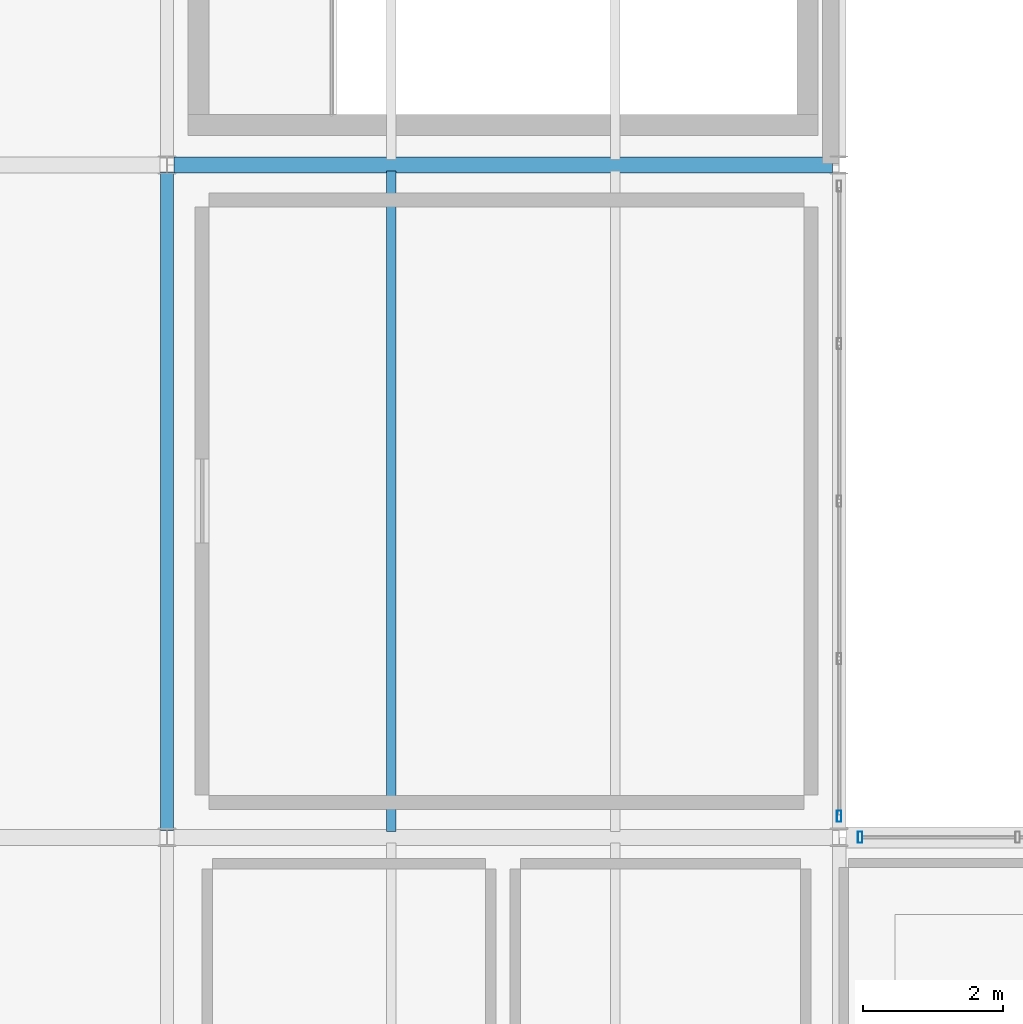
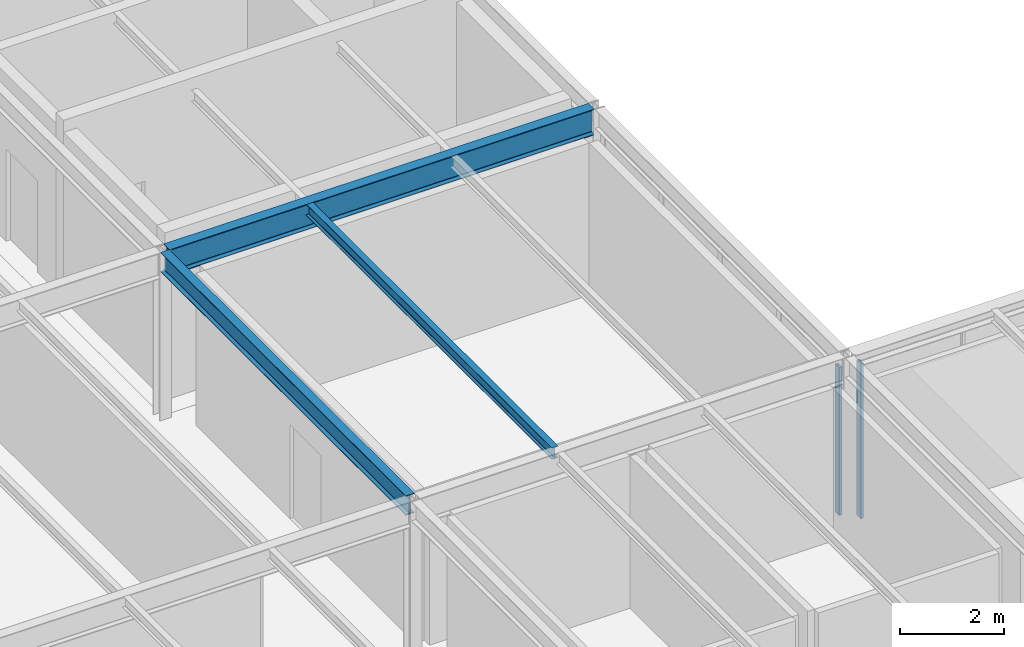
# One storey, part 15 of 33: 3 beams, 2 members, 2 elements without a shape of their own.
"""IFC4 building model written with IfcOpenShell, lengths in metres."""

from ifc_helpers import new_model, si_unit, direction, frame, origin, origin_2d, place, context, subcontext, project, spatial, hollow_rectangle, i_section, extrude, material, material_profile, profile_set, type_object, element, aggregate, save


model = new_model("IFC4")

# Units and contexts
model_context = context("Model", 3, precision=1e-05, world=origin(), true_north=direction((0.0, 1.0)))
body_context = subcontext(model_context, "Body", "Model", "MODEL_VIEW")
ifc_project = project(units=[si_unit("LENGTHUNIT", "METRE"), si_unit("AREAUNIT", "SQUARE_METRE"), si_unit("VOLUMEUNIT", "CUBIC_METRE"), si_unit("PLANEANGLEUNIT", "RADIAN"), si_unit("MASSUNIT", "GRAM", prefix="KILO")], contexts=[model_context])

# Site, building, storey
site_placement = place(None, origin())
site = spatial("IfcSite", under=ifc_project, at=site_placement, CompositionType="ELEMENT")
building_placement = place(site_placement, origin())
building = spatial("IfcBuilding", under=site, at=building_placement, Name="Coralgate Yard Interchange", CompositionType="ELEMENT")
storey_placement = place(building_placement, frame((0.0, 0.0, 23.10009765625)))
storey = spatial("IfcBuildingStorey", under=building, at=storey_placement, Name="L05", CompositionType="ELEMENT", Elevation=23.10009765625)

# Beams
ifc_material_1 = material(Name="Structural steel S355J2", Category="steel")
ifc_material_profile_1 = material_profile(ifc_material_1, i_section(OverallWidth=0.1904296875, OverallDepth=0.45703125, WebThickness=0.009033203125, FlangeThickness=0.014404296875, FilletRadius=0.01025390625, at=origin_2d()), Name="UB 457x191x74")
ifc_profile_set_1 = profile_set([ifc_material_profile_1], Name="Structural steel S355J2")
beam_type_1 = type_object("IfcBeamType", Name="BM-SB-2", PredefinedType="BEAM", material=ifc_profile_set_1)
beam_1_placement = place(storey_placement, frame((9.60009765625, 19.300048828125, 3.69140625), z_axis=(0.0, 1.0, 0.0), x_axis=(-1.0, 0.0, 0.0)))
element("IfcBeam", 1, at=beam_1_placement, inside=storey, type_object=beam_type_1, Name="L05 primary grid girder X1 Y2-3", PredefinedType="BEAM", context=body_context, shape_type="SweptSolid", body=[
    extrude(i_section(OverallWidth=0.1904296875, OverallDepth=0.45703125, WebThickness=0.009033203125, FlangeThickness=0.014404296875, FilletRadius=0.01025390625, at=origin_2d()), origin(), (0.0, 0.0, 1.0), 9.399658203125),
])
ifc_material_profile_2 = material_profile(ifc_material_1, i_section(OverallWidth=0.228271484375, OverallDepth=0.607666015625, WebThickness=0.010986328125, FlangeThickness=0.017333984375, FilletRadius=0.0126953125, at=origin_2d()), Name="UB 610x229x113")
ifc_profile_set_2 = profile_set([ifc_material_profile_2], Name="Structural steel S355J2")
beam_type_2 = type_object("IfcBeamType", Name="BM-SG-5", PredefinedType="BEAM", material=ifc_profile_set_2)
beam_2_placement = place(storey_placement, frame((9.6982421875, 28.800048828125, 3.6162109375), z_axis=(1.0, 0.0, 0.0), x_axis=(0.0, 1.0, 0.0)))
element("IfcBeam", 2, at=beam_2_placement, inside=storey, type_object=beam_type_2, Name="L05 primary grid beam Y3 X1-2", PredefinedType="BEAM", context=body_context, shape_type="SweptSolid", body=[
    extrude(i_section(OverallWidth=0.228271484375, OverallDepth=0.607666015625, WebThickness=0.010986328125, FlangeThickness=0.017333984375, FilletRadius=0.0126953125, at=origin_2d()), origin(), (0.0, 0.0, 1.0), 9.403564453125),
])
ifc_material_profile_3 = material_profile(ifc_material_1, i_section(OverallWidth=0.135009765625, OverallDepth=0.27001953125, WebThickness=0.006591796875, FlangeThickness=0.01025390625, FilletRadius=0.014892578125, at=origin_2d()), Name="IPE 270")
ifc_profile_set_3 = profile_set([ifc_material_profile_3], Name="Structural steel S355J2")
beam_type_3 = type_object("IfcBeamType", Name="BM-SJ-3", PredefinedType="JOIST", material=ifc_profile_set_3)
beam_3_placement = place(storey_placement, frame((12.800048828125, 19.2841796875, 3.784912109375), z_axis=(0.0, 1.0, 0.0), x_axis=(-1.0, 0.0, 0.0)))
element("IfcBeam", 3, at=beam_3_placement, inside=storey, type_object=beam_type_3, Name="L05 composite floor joist 1-2-1", PredefinedType="JOIST", context=body_context, shape_type="SweptSolid", body=[
    extrude(i_section(OverallWidth=0.135009765625, OverallDepth=0.27001953125, WebThickness=0.006591796875, FlangeThickness=0.01025390625, FilletRadius=0.014892578125, at=origin_2d()), origin(), (0.0, 0.0, 1.0), 9.431640625),
])

# Curtain wall, member
ifc_material_2 = material(Name="Anodised coastal aluminium and solar-control low-E glass", Category="aluminium")
curtain_wall_type = type_object("IfcCurtainWallType", Name="CW-CW-L05-A", PredefinedType="NOTDEFINED", material=ifc_material_2)
curtain_wall_1_placement = place(storey_placement, origin())
curtain_wall_1 = element("IfcCurtainWall", 4, at=curtain_wall_1_placement, inside=storey, type_object=curtain_wall_type, Name="L05 unitised curtain wall CW-L05-E-01-02", PredefinedType="NOTDEFINED")
ifc_material_3 = material(Name="Anodised coastal aluminium 6063-T6", Category="aluminium")
ifc_material_profile_4 = material_profile(ifc_material_3, hollow_rectangle(XDim=0.06494140625, YDim=0.159912109375, WallThickness=0.00390625, InnerFilletRadius=0.00390625, OuterFilletRadius=0.008056640625, at=origin_2d()), Name="ALU 65x160x4")
ifc_profile_set_4 = profile_set([ifc_material_profile_4], Name="Anodised coastal aluminium 6063-T6")
member_type = type_object("IfcMemberType", Name="MB-MUL-160", PredefinedType="MULLION", material=ifc_profile_set_4)
member_1_placement = place(storey_placement, frame((19.199951171875, 19.5, 0.0), z_axis=(0.0, 0.0, 1.0), x_axis=(1.0, 0.0, 0.0)))
member_1 = element("IfcMember", 5, at=member_1_placement, type_object=member_type, Name="CW-L05-E-01-02 vertical mullion 5", PredefinedType="MULLION", context=body_context, shape_type="SweptSolid", body=[
    extrude(hollow_rectangle(XDim=0.06494140625, YDim=0.159912109375, WallThickness=0.00390625, InnerFilletRadius=0.00390625, OuterFilletRadius=0.008056640625, at=origin_2d()), origin(), (0.0, 0.0, 1.0), 3.462890625),
])
aggregate(curtain_wall_1, [member_1])

curtain_wall_2_placement = place(storey_placement, origin())
curtain_wall_2 = element("IfcCurtainWall", 6, at=curtain_wall_2_placement, inside=storey, type_object=curtain_wall_type, Name="L05 unitised curtain wall CW-L05-N-02-01", PredefinedType="NOTDEFINED")
member_2_placement = place(storey_placement, frame((19.5, 19.199951171875, 0.0), z_axis=(0.0, 0.0, 1.0), x_axis=(1.0, 0.0, 0.0)))
member_2 = element("IfcMember", 7, at=member_2_placement, type_object=member_type, Name="CW-L05-N-02-01 vertical mullion 1", PredefinedType="MULLION", context=body_context, shape_type="SweptSolid", body=[
    extrude(hollow_rectangle(XDim=0.06494140625, YDim=0.159912109375, WallThickness=0.00390625, InnerFilletRadius=0.00390625, OuterFilletRadius=0.008056640625, at=origin_2d()), origin(), (0.0, 0.0, 1.0), 3.6298828125),
])
aggregate(curtain_wall_2, [member_2])

save(model, "model.ifc")
